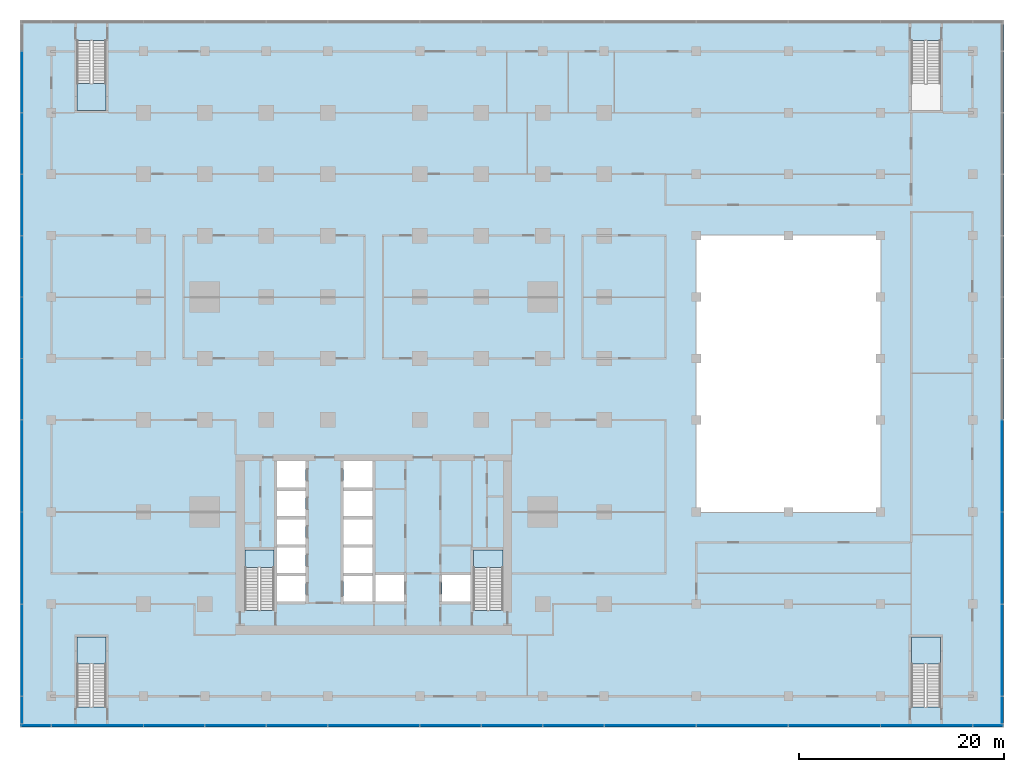
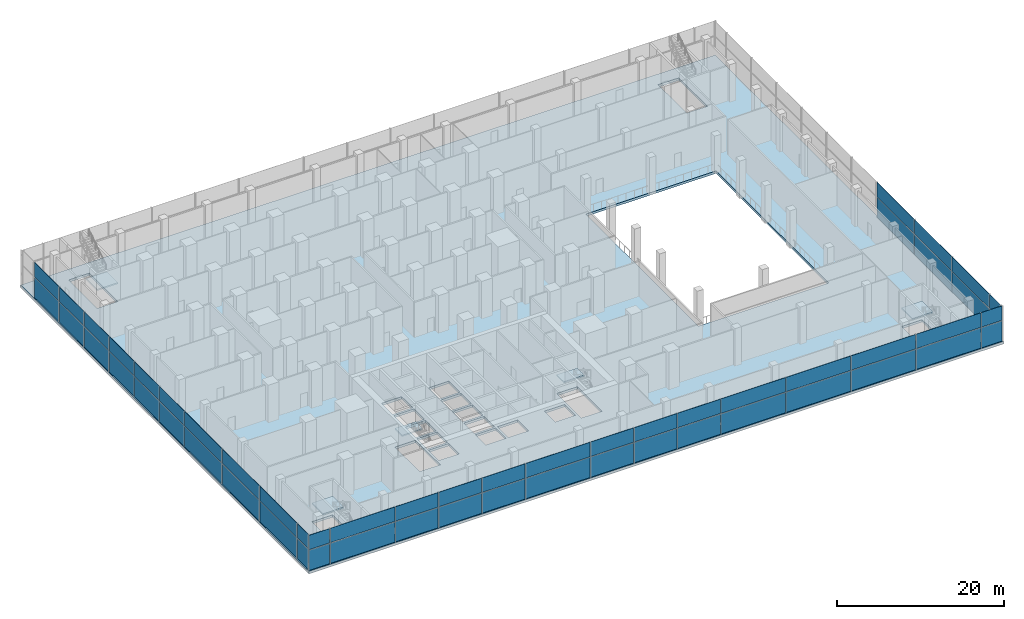
# One storey, part 10 of 22: 56 plates, 6 slabs, 8 elements without a shape of their own.
"""IFC4 building model written with IfcOpenShell, lengths in metres."""

from ifc_helpers import new_model, si_unit, direction, frame, origin, origin_2d, place, context, subcontext, project, spatial, polyline, rectangle, outline, extrude, material, layer, layer_set, type_object, element, aggregate, save


model = new_model("IFC4")

# Units and contexts
model_context = context("Model", 3, precision=1e-05, world=origin(), true_north=direction((0.0, 1.0)))
body_context = subcontext(model_context, "Body", "Model", "MODEL_VIEW")
ifc_project = project(units=[si_unit("LENGTHUNIT", "METRE"), si_unit("AREAUNIT", "SQUARE_METRE"), si_unit("VOLUMEUNIT", "CUBIC_METRE"), si_unit("PLANEANGLEUNIT", "RADIAN"), si_unit("MASSUNIT", "GRAM", prefix="KILO")], contexts=[model_context])

# Site, building, storey
site_placement = place(None, origin())
site = spatial("IfcSite", under=ifc_project, at=site_placement, CompositionType="ELEMENT")
building_placement = place(site_placement, origin())
building = spatial("IfcBuilding", under=site, at=building_placement, Name="Finial Court Residences", CompositionType="ELEMENT")
storey_placement = place(building_placement, frame((0.0, 0.0, 8.0)))
storey = spatial("IfcBuildingStorey", under=building, at=storey_placement, Name="L01", CompositionType="ELEMENT", Elevation=8.0)

# Curtain wall, plates
ifc_material_1 = material(Name="Bronze anodised aluminium", Category="aluminium")
curtain_wall_type = type_object("IfcCurtainWallType", Name="Podium curtain wall", PredefinedType="NOTDEFINED", material=ifc_material_1)
curtain_wall_1_placement = place(storey_placement, origin())
curtain_wall_1 = element("IfcCurtainWall", 1, at=curtain_wall_1_placement, inside=storey, type_object=curtain_wall_type, Name="E-L01-CW-E2", PredefinedType="NOTDEFINED")
ifc_material_2 = material(Name="Clear low-e glass", Category="glass")
ifc_layer_1 = layer(ifc_material_2, 0.035888671875)
ifc_layer_set_1 = layer_set([ifc_layer_1], Name="CW5 vision glass 36")
plate_type = type_object("IfcPlateType", Name="CW5 vision glass 36", PredefinedType="CURTAIN_PANEL", material=ifc_layer_set_1)
plate_1_placement = place(storey_placement, frame((61.35009765625, -32.8486328125, 0.0), z_axis=(0.0, 0.0, 1.0), x_axis=(0.0, 1.0, 0.0)))
plate_1 = element("IfcPlate", 2, at=plate_1_placement, type_object=plate_type, Name="CW5 glass 1.1", PredefinedType="CURTAIN_PANEL", context=body_context, shape_type="SweptSolid", body=[
    extrude(rectangle(XDim=2.617431640625, YDim=0.035888671875, at=origin_2d()), origin(), (0.0, 0.0, 1.0), 2.9599609375),
])
plate_2_placement = place(storey_placement, frame((61.35009765625, -32.8486328125, 3.0400390625), z_axis=(0.0, 0.0, 1.0), x_axis=(0.0, 1.0, 0.0)))
plate_2 = element("IfcPlate", 3, at=plate_2_placement, type_object=plate_type, Name="CW5 glass 1.2", PredefinedType="CURTAIN_PANEL", context=body_context, shape_type="SweptSolid", body=[
    extrude(rectangle(XDim=2.617431640625, YDim=0.035888671875, at=origin_2d()), origin(), (0.0, 0.0, 1.0), 2.110107421875),
])
plate_3_placement = place(storey_placement, frame((61.35009765625, -27.0, 0.0), z_axis=(0.0, 0.0, 1.0), x_axis=(0.0, 1.0, 0.0)))
plate_3 = element("IfcPlate", 4, at=plate_3_placement, type_object=plate_type, Name="CW5 glass 2.1", PredefinedType="CURTAIN_PANEL", context=body_context, shape_type="SweptSolid", body=[
    extrude(rectangle(XDim=8.919921875, YDim=0.035888671875, at=origin_2d()), origin(), (0.0, 0.0, 1.0), 2.9599609375),
])
plate_4_placement = place(storey_placement, frame((61.35009765625, -27.0, 3.0400390625), z_axis=(0.0, 0.0, 1.0), x_axis=(0.0, 1.0, 0.0)))
plate_4 = element("IfcPlate", 5, at=plate_4_placement, type_object=plate_type, Name="CW5 glass 2.2", PredefinedType="CURTAIN_PANEL", context=body_context, shape_type="SweptSolid", body=[
    extrude(rectangle(XDim=8.919921875, YDim=0.035888671875, at=origin_2d()), origin(), (0.0, 0.0, 1.0), 2.110107421875),
])
plate_5_placement = place(storey_placement, frame((61.35009765625, -18.0, 0.0), z_axis=(0.0, 0.0, 1.0), x_axis=(0.0, 1.0, 0.0)))
plate_5 = element("IfcPlate", 6, at=plate_5_placement, type_object=plate_type, Name="CW5 glass 3.1", PredefinedType="CURTAIN_PANEL", context=body_context, shape_type="SweptSolid", body=[
    extrude(rectangle(XDim=8.919921875, YDim=0.035888671875, at=origin_2d()), origin(), (0.0, 0.0, 1.0), 2.9599609375),
])
plate_6_placement = place(storey_placement, frame((61.35009765625, -18.0, 3.0400390625), z_axis=(0.0, 0.0, 1.0), x_axis=(0.0, 1.0, 0.0)))
plate_6 = element("IfcPlate", 7, at=plate_6_placement, type_object=plate_type, Name="CW5 glass 3.2", PredefinedType="CURTAIN_PANEL", context=body_context, shape_type="SweptSolid", body=[
    extrude(rectangle(XDim=8.919921875, YDim=0.035888671875, at=origin_2d()), origin(), (0.0, 0.0, 1.0), 2.110107421875),
])
plate_7_placement = place(storey_placement, frame((61.35009765625, -9.0, 0.0), z_axis=(0.0, 0.0, 1.0), x_axis=(0.0, 1.0, 0.0)))
plate_7 = element("IfcPlate", 8, at=plate_7_placement, type_object=plate_type, Name="CW5 glass 4.1", PredefinedType="CURTAIN_PANEL", context=body_context, shape_type="SweptSolid", body=[
    extrude(rectangle(XDim=8.919921875, YDim=0.035888671875, at=origin_2d()), origin(), (0.0, 0.0, 1.0), 2.9599609375),
])
plate_8_placement = place(storey_placement, frame((61.35009765625, -9.0, 3.0400390625), z_axis=(0.0, 0.0, 1.0), x_axis=(0.0, 1.0, 0.0)))
plate_8 = element("IfcPlate", 9, at=plate_8_placement, type_object=plate_type, Name="CW5 glass 4.2", PredefinedType="CURTAIN_PANEL", context=body_context, shape_type="SweptSolid", body=[
    extrude(rectangle(XDim=8.919921875, YDim=0.035888671875, at=origin_2d()), origin(), (0.0, 0.0, 1.0), 2.110107421875),
])
aggregate(curtain_wall_1, [plate_1, plate_2, plate_3, plate_4, plate_5, plate_6, plate_7, plate_8])

curtain_wall_2_placement = place(storey_placement, origin())
curtain_wall_2 = element("IfcCurtainWall", 10, at=curtain_wall_2_placement, inside=storey, type_object=curtain_wall_type, Name="E-L01-CW-S3", PredefinedType="NOTDEFINED")
plate_9_placement = place(storey_placement, frame((-32.97998046875, -34.35009765625, 0.0), z_axis=(0.0, 0.0, 1.0), x_axis=(1.0, 0.0, 0.0)))
plate_9 = element("IfcPlate", 11, at=plate_9_placement, type_object=plate_type, Name="CW5 glass 1.1", PredefinedType="CURTAIN_PANEL", context=body_context, shape_type="SweptSolid", body=[
    extrude(rectangle(XDim=2.8798828125, YDim=0.035888671875, at=origin_2d()), origin(), (0.0, 0.0, 1.0), 2.9599609375),
])
plate_10_placement = place(storey_placement, frame((-32.97998046875, -34.35009765625, 3.0400390625), z_axis=(0.0, 0.0, 1.0), x_axis=(1.0, 0.0, 0.0)))
plate_10 = element("IfcPlate", 12, at=plate_10_placement, type_object=plate_type, Name="CW5 glass 1.2", PredefinedType="CURTAIN_PANEL", context=body_context, shape_type="SweptSolid", body=[
    extrude(rectangle(XDim=2.8798828125, YDim=0.035888671875, at=origin_2d()), origin(), (0.0, 0.0, 1.0), 2.110107421875),
])
plate_11_placement = place(storey_placement, frame((-27.0, -34.35009765625, 0.0), z_axis=(0.0, 0.0, 1.0), x_axis=(1.0, 0.0, 0.0)))
plate_11 = element("IfcPlate", 13, at=plate_11_placement, type_object=plate_type, Name="CW5 glass 2.1", PredefinedType="CURTAIN_PANEL", context=body_context, shape_type="SweptSolid", body=[
    extrude(rectangle(XDim=8.919921875, YDim=0.035888671875, at=origin_2d()), origin(), (0.0, 0.0, 1.0), 2.9599609375),
])
plate_12_placement = place(storey_placement, frame((-27.0, -34.35009765625, 3.0400390625), z_axis=(0.0, 0.0, 1.0), x_axis=(1.0, 0.0, 0.0)))
plate_12 = element("IfcPlate", 14, at=plate_12_placement, type_object=plate_type, Name="CW5 glass 2.2", PredefinedType="CURTAIN_PANEL", context=body_context, shape_type="SweptSolid", body=[
    extrude(rectangle(XDim=8.919921875, YDim=0.035888671875, at=origin_2d()), origin(), (0.0, 0.0, 1.0), 2.110107421875),
])
plate_13_placement = place(storey_placement, frame((-19.5, -34.35009765625, 0.0), z_axis=(0.0, 0.0, 1.0), x_axis=(1.0, 0.0, 0.0)))
plate_13 = element("IfcPlate", 15, at=plate_13_placement, type_object=plate_type, Name="CW5 glass 3.1", PredefinedType="CURTAIN_PANEL", context=body_context, shape_type="SweptSolid", body=[
    extrude(rectangle(XDim=5.919921875, YDim=0.035888671875, at=origin_2d()), origin(), (0.0, 0.0, 1.0), 2.9599609375),
])
plate_14_placement = place(storey_placement, frame((-19.5, -34.35009765625, 3.0400390625), z_axis=(0.0, 0.0, 1.0), x_axis=(1.0, 0.0, 0.0)))
plate_14 = element("IfcPlate", 16, at=plate_14_placement, type_object=plate_type, Name="CW5 glass 3.2", PredefinedType="CURTAIN_PANEL", context=body_context, shape_type="SweptSolid", body=[
    extrude(rectangle(XDim=5.919921875, YDim=0.035888671875, at=origin_2d()), origin(), (0.0, 0.0, 1.0), 2.110107421875),
])
plate_15_placement = place(storey_placement, frame((-13.5, -34.35009765625, 0.0), z_axis=(0.0, 0.0, 1.0), x_axis=(1.0, 0.0, 0.0)))
plate_15 = element("IfcPlate", 17, at=plate_15_placement, type_object=plate_type, Name="CW5 glass 4.1", PredefinedType="CURTAIN_PANEL", context=body_context, shape_type="SweptSolid", body=[
    extrude(rectangle(XDim=5.919921875, YDim=0.035888671875, at=origin_2d()), origin(), (0.0, 0.0, 1.0), 2.9599609375),
])
plate_16_placement = place(storey_placement, frame((-13.5, -34.35009765625, 3.0400390625), z_axis=(0.0, 0.0, 1.0), x_axis=(1.0, 0.0, 0.0)))
plate_16 = element("IfcPlate", 18, at=plate_16_placement, type_object=plate_type, Name="CW5 glass 4.2", PredefinedType="CURTAIN_PANEL", context=body_context, shape_type="SweptSolid", body=[
    extrude(rectangle(XDim=5.919921875, YDim=0.035888671875, at=origin_2d()), origin(), (0.0, 0.0, 1.0), 2.110107421875),
])
plate_17_placement = place(storey_placement, frame((-7.5, -34.35009765625, 0.0), z_axis=(0.0, 0.0, 1.0), x_axis=(1.0, 0.0, 0.0)))
plate_17 = element("IfcPlate", 19, at=plate_17_placement, type_object=plate_type, Name="CW5 glass 5.1", PredefinedType="CURTAIN_PANEL", context=body_context, shape_type="SweptSolid", body=[
    extrude(rectangle(XDim=5.919921875, YDim=0.035888671875, at=origin_2d()), origin(), (0.0, 0.0, 1.0), 2.9599609375),
])
plate_18_placement = place(storey_placement, frame((-7.5, -34.35009765625, 3.0400390625), z_axis=(0.0, 0.0, 1.0), x_axis=(1.0, 0.0, 0.0)))
plate_18 = element("IfcPlate", 20, at=plate_18_placement, type_object=plate_type, Name="CW5 glass 5.2", PredefinedType="CURTAIN_PANEL", context=body_context, shape_type="SweptSolid", body=[
    extrude(rectangle(XDim=5.919921875, YDim=0.035888671875, at=origin_2d()), origin(), (0.0, 0.0, 1.0), 2.110107421875),
])
plate_19_placement = place(storey_placement, frame((0.0, -34.35009765625, 0.0), z_axis=(0.0, 0.0, 1.0), x_axis=(1.0, 0.0, 0.0)))
plate_19 = element("IfcPlate", 21, at=plate_19_placement, type_object=plate_type, Name="CW5 glass 6.1", PredefinedType="CURTAIN_PANEL", context=body_context, shape_type="SweptSolid", body=[
    extrude(rectangle(XDim=8.919921875, YDim=0.035888671875, at=origin_2d()), origin(), (0.0, 0.0, 1.0), 2.9599609375),
])
plate_20_placement = place(storey_placement, frame((0.0, -34.35009765625, 3.0400390625), z_axis=(0.0, 0.0, 1.0), x_axis=(1.0, 0.0, 0.0)))
plate_20 = element("IfcPlate", 22, at=plate_20_placement, type_object=plate_type, Name="CW5 glass 6.2", PredefinedType="CURTAIN_PANEL", context=body_context, shape_type="SweptSolid", body=[
    extrude(rectangle(XDim=8.919921875, YDim=0.035888671875, at=origin_2d()), origin(), (0.0, 0.0, 1.0), 2.110107421875),
])
plate_21_placement = place(storey_placement, frame((7.5, -34.35009765625, 0.0), z_axis=(0.0, 0.0, 1.0), x_axis=(1.0, 0.0, 0.0)))
plate_21 = element("IfcPlate", 23, at=plate_21_placement, type_object=plate_type, Name="CW5 glass 7.1", PredefinedType="CURTAIN_PANEL", context=body_context, shape_type="SweptSolid", body=[
    extrude(rectangle(XDim=5.919921875, YDim=0.035888671875, at=origin_2d()), origin(), (0.0, 0.0, 1.0), 2.9599609375),
])
plate_22_placement = place(storey_placement, frame((7.5, -34.35009765625, 3.0400390625), z_axis=(0.0, 0.0, 1.0), x_axis=(1.0, 0.0, 0.0)))
plate_22 = element("IfcPlate", 24, at=plate_22_placement, type_object=plate_type, Name="CW5 glass 7.2", PredefinedType="CURTAIN_PANEL", context=body_context, shape_type="SweptSolid", body=[
    extrude(rectangle(XDim=5.919921875, YDim=0.035888671875, at=origin_2d()), origin(), (0.0, 0.0, 1.0), 2.110107421875),
])
plate_23_placement = place(storey_placement, frame((13.5, -34.35009765625, 0.0), z_axis=(0.0, 0.0, 1.0), x_axis=(1.0, 0.0, 0.0)))
plate_23 = element("IfcPlate", 25, at=plate_23_placement, type_object=plate_type, Name="CW5 glass 8.1", PredefinedType="CURTAIN_PANEL", context=body_context, shape_type="SweptSolid", body=[
    extrude(rectangle(XDim=5.919921875, YDim=0.035888671875, at=origin_2d()), origin(), (0.0, 0.0, 1.0), 2.9599609375),
])
plate_24_placement = place(storey_placement, frame((13.5, -34.35009765625, 3.0400390625), z_axis=(0.0, 0.0, 1.0), x_axis=(1.0, 0.0, 0.0)))
plate_24 = element("IfcPlate", 26, at=plate_24_placement, type_object=plate_type, Name="CW5 glass 8.2", PredefinedType="CURTAIN_PANEL", context=body_context, shape_type="SweptSolid", body=[
    extrude(rectangle(XDim=5.919921875, YDim=0.035888671875, at=origin_2d()), origin(), (0.0, 0.0, 1.0), 2.110107421875),
])
plate_25_placement = place(storey_placement, frame((19.5, -34.35009765625, 0.0), z_axis=(0.0, 0.0, 1.0), x_axis=(1.0, 0.0, 0.0)))
plate_25 = element("IfcPlate", 27, at=plate_25_placement, type_object=plate_type, Name="CW5 glass 9.1", PredefinedType="CURTAIN_PANEL", context=body_context, shape_type="SweptSolid", body=[
    extrude(rectangle(XDim=5.919921875, YDim=0.035888671875, at=origin_2d()), origin(), (0.0, 0.0, 1.0), 2.9599609375),
])
plate_26_placement = place(storey_placement, frame((19.5, -34.35009765625, 3.0400390625), z_axis=(0.0, 0.0, 1.0), x_axis=(1.0, 0.0, 0.0)))
plate_26 = element("IfcPlate", 28, at=plate_26_placement, type_object=plate_type, Name="CW5 glass 9.2", PredefinedType="CURTAIN_PANEL", context=body_context, shape_type="SweptSolid", body=[
    extrude(rectangle(XDim=5.919921875, YDim=0.035888671875, at=origin_2d()), origin(), (0.0, 0.0, 1.0), 2.110107421875),
])
plate_27_placement = place(storey_placement, frame((27.0, -34.35009765625, 0.0), z_axis=(0.0, 0.0, 1.0), x_axis=(1.0, 0.0, 0.0)))
plate_27 = element("IfcPlate", 29, at=plate_27_placement, type_object=plate_type, Name="CW5 glass 10.1", PredefinedType="CURTAIN_PANEL", context=body_context, shape_type="SweptSolid", body=[
    extrude(rectangle(XDim=8.919921875, YDim=0.035888671875, at=origin_2d()), origin(), (0.0, 0.0, 1.0), 2.9599609375),
])
plate_28_placement = place(storey_placement, frame((27.0, -34.35009765625, 3.0400390625), z_axis=(0.0, 0.0, 1.0), x_axis=(1.0, 0.0, 0.0)))
plate_28 = element("IfcPlate", 30, at=plate_28_placement, type_object=plate_type, Name="CW5 glass 10.2", PredefinedType="CURTAIN_PANEL", context=body_context, shape_type="SweptSolid", body=[
    extrude(rectangle(XDim=8.919921875, YDim=0.035888671875, at=origin_2d()), origin(), (0.0, 0.0, 1.0), 2.110107421875),
])
plate_29_placement = place(storey_placement, frame((36.0, -34.35009765625, 0.0), z_axis=(0.0, 0.0, 1.0), x_axis=(1.0, 0.0, 0.0)))
plate_29 = element("IfcPlate", 31, at=plate_29_placement, type_object=plate_type, Name="CW5 glass 11.1", PredefinedType="CURTAIN_PANEL", context=body_context, shape_type="SweptSolid", body=[
    extrude(rectangle(XDim=8.919921875, YDim=0.035888671875, at=origin_2d()), origin(), (0.0, 0.0, 1.0), 2.9599609375),
])
plate_30_placement = place(storey_placement, frame((36.0, -34.35009765625, 3.0400390625), z_axis=(0.0, 0.0, 1.0), x_axis=(1.0, 0.0, 0.0)))
plate_30 = element("IfcPlate", 32, at=plate_30_placement, type_object=plate_type, Name="CW5 glass 11.2", PredefinedType="CURTAIN_PANEL", context=body_context, shape_type="SweptSolid", body=[
    extrude(rectangle(XDim=8.919921875, YDim=0.035888671875, at=origin_2d()), origin(), (0.0, 0.0, 1.0), 2.110107421875),
])
plate_31_placement = place(storey_placement, frame((45.0, -34.35009765625, 0.0), z_axis=(0.0, 0.0, 1.0), x_axis=(1.0, 0.0, 0.0)))
plate_31 = element("IfcPlate", 33, at=plate_31_placement, type_object=plate_type, Name="CW5 glass 12.1", PredefinedType="CURTAIN_PANEL", context=body_context, shape_type="SweptSolid", body=[
    extrude(rectangle(XDim=8.919921875, YDim=0.035888671875, at=origin_2d()), origin(), (0.0, 0.0, 1.0), 2.9599609375),
])
plate_32_placement = place(storey_placement, frame((45.0, -34.35009765625, 3.0400390625), z_axis=(0.0, 0.0, 1.0), x_axis=(1.0, 0.0, 0.0)))
plate_32 = element("IfcPlate", 34, at=plate_32_placement, type_object=plate_type, Name="CW5 glass 12.2", PredefinedType="CURTAIN_PANEL", context=body_context, shape_type="SweptSolid", body=[
    extrude(rectangle(XDim=8.919921875, YDim=0.035888671875, at=origin_2d()), origin(), (0.0, 0.0, 1.0), 2.110107421875),
])
plate_33_placement = place(storey_placement, frame((54.0, -34.35009765625, 0.0), z_axis=(0.0, 0.0, 1.0), x_axis=(1.0, 0.0, 0.0)))
plate_33 = element("IfcPlate", 35, at=plate_33_placement, type_object=plate_type, Name="CW5 glass 13.1", PredefinedType="CURTAIN_PANEL", context=body_context, shape_type="SweptSolid", body=[
    extrude(rectangle(XDim=8.919921875, YDim=0.035888671875, at=origin_2d()), origin(), (0.0, 0.0, 1.0), 2.9599609375),
])
plate_34_placement = place(storey_placement, frame((54.0, -34.35009765625, 3.0400390625), z_axis=(0.0, 0.0, 1.0), x_axis=(1.0, 0.0, 0.0)))
plate_34 = element("IfcPlate", 36, at=plate_34_placement, type_object=plate_type, Name="CW5 glass 13.2", PredefinedType="CURTAIN_PANEL", context=body_context, shape_type="SweptSolid", body=[
    extrude(rectangle(XDim=8.919921875, YDim=0.035888671875, at=origin_2d()), origin(), (0.0, 0.0, 1.0), 2.110107421875),
])
plate_35_placement = place(storey_placement, frame((59.97998046875, -34.35009765625, 0.0), z_axis=(0.0, 0.0, 1.0), x_axis=(1.0, 0.0, 0.0)))
plate_35 = element("IfcPlate", 37, at=plate_35_placement, type_object=plate_type, Name="CW5 glass 14.1", PredefinedType="CURTAIN_PANEL", context=body_context, shape_type="SweptSolid", body=[
    extrude(rectangle(XDim=2.8798828125, YDim=0.035888671875, at=origin_2d()), origin(), (0.0, 0.0, 1.0), 2.9599609375),
])
plate_36_placement = place(storey_placement, frame((59.97998046875, -34.35009765625, 3.0400390625), z_axis=(0.0, 0.0, 1.0), x_axis=(1.0, 0.0, 0.0)))
plate_36 = element("IfcPlate", 38, at=plate_36_placement, type_object=plate_type, Name="CW5 glass 14.2", PredefinedType="CURTAIN_PANEL", context=body_context, shape_type="SweptSolid", body=[
    extrude(rectangle(XDim=2.8798828125, YDim=0.035888671875, at=origin_2d()), origin(), (0.0, 0.0, 1.0), 2.110107421875),
])
aggregate(curtain_wall_2, [plate_9, plate_10, plate_11, plate_12, plate_13, plate_14, plate_15, plate_16, plate_17, plate_18, plate_19, plate_20, plate_21, plate_22, plate_23, plate_24, plate_25, plate_26, plate_27, plate_28, plate_29, plate_30, plate_31, plate_32, plate_33, plate_34, plate_35, plate_36])

curtain_wall_3_placement = place(storey_placement, origin())
curtain_wall_3 = element("IfcCurtainWall", 39, at=curtain_wall_3_placement, inside=storey, type_object=curtain_wall_type, Name="E-L01-CW-W4", PredefinedType="NOTDEFINED")
plate_37_placement = place(storey_placement, frame((-34.35009765625, -32.8486328125, 0.0), z_axis=(0.0, 0.0, 1.0), x_axis=(0.0, 1.0, 0.0)))
plate_37 = element("IfcPlate", 40, at=plate_37_placement, type_object=plate_type, Name="CW5 glass 1.1", PredefinedType="CURTAIN_PANEL", context=body_context, shape_type="SweptSolid", body=[
    extrude(rectangle(XDim=2.617431640625, YDim=0.035888671875, at=origin_2d()), origin(), (0.0, 0.0, 1.0), 2.9599609375),
])
plate_38_placement = place(storey_placement, frame((-34.35009765625, -32.8486328125, 3.0400390625), z_axis=(0.0, 0.0, 1.0), x_axis=(0.0, 1.0, 0.0)))
plate_38 = element("IfcPlate", 41, at=plate_38_placement, type_object=plate_type, Name="CW5 glass 1.2", PredefinedType="CURTAIN_PANEL", context=body_context, shape_type="SweptSolid", body=[
    extrude(rectangle(XDim=2.617431640625, YDim=0.035888671875, at=origin_2d()), origin(), (0.0, 0.0, 1.0), 2.110107421875),
])
plate_39_placement = place(storey_placement, frame((-34.35009765625, -27.0, 0.0), z_axis=(0.0, 0.0, 1.0), x_axis=(0.0, 1.0, 0.0)))
plate_39 = element("IfcPlate", 42, at=plate_39_placement, type_object=plate_type, Name="CW5 glass 2.1", PredefinedType="CURTAIN_PANEL", context=body_context, shape_type="SweptSolid", body=[
    extrude(rectangle(XDim=8.919921875, YDim=0.035888671875, at=origin_2d()), origin(), (0.0, 0.0, 1.0), 2.9599609375),
])
plate_40_placement = place(storey_placement, frame((-34.35009765625, -27.0, 3.0400390625), z_axis=(0.0, 0.0, 1.0), x_axis=(0.0, 1.0, 0.0)))
plate_40 = element("IfcPlate", 43, at=plate_40_placement, type_object=plate_type, Name="CW5 glass 2.2", PredefinedType="CURTAIN_PANEL", context=body_context, shape_type="SweptSolid", body=[
    extrude(rectangle(XDim=8.919921875, YDim=0.035888671875, at=origin_2d()), origin(), (0.0, 0.0, 1.0), 2.110107421875),
])
plate_41_placement = place(storey_placement, frame((-34.35009765625, -18.0, 0.0), z_axis=(0.0, 0.0, 1.0), x_axis=(0.0, 1.0, 0.0)))
plate_41 = element("IfcPlate", 44, at=plate_41_placement, type_object=plate_type, Name="CW5 glass 3.1", PredefinedType="CURTAIN_PANEL", context=body_context, shape_type="SweptSolid", body=[
    extrude(rectangle(XDim=8.919921875, YDim=0.035888671875, at=origin_2d()), origin(), (0.0, 0.0, 1.0), 2.9599609375),
])
plate_42_placement = place(storey_placement, frame((-34.35009765625, -18.0, 3.0400390625), z_axis=(0.0, 0.0, 1.0), x_axis=(0.0, 1.0, 0.0)))
plate_42 = element("IfcPlate", 45, at=plate_42_placement, type_object=plate_type, Name="CW5 glass 3.2", PredefinedType="CURTAIN_PANEL", context=body_context, shape_type="SweptSolid", body=[
    extrude(rectangle(XDim=8.919921875, YDim=0.035888671875, at=origin_2d()), origin(), (0.0, 0.0, 1.0), 2.110107421875),
])
plate_43_placement = place(storey_placement, frame((-34.35009765625, -9.0, 0.0), z_axis=(0.0, 0.0, 1.0), x_axis=(0.0, 1.0, 0.0)))
plate_43 = element("IfcPlate", 46, at=plate_43_placement, type_object=plate_type, Name="CW5 glass 4.1", PredefinedType="CURTAIN_PANEL", context=body_context, shape_type="SweptSolid", body=[
    extrude(rectangle(XDim=8.919921875, YDim=0.035888671875, at=origin_2d()), origin(), (0.0, 0.0, 1.0), 2.9599609375),
])
plate_44_placement = place(storey_placement, frame((-34.35009765625, -9.0, 3.0400390625), z_axis=(0.0, 0.0, 1.0), x_axis=(0.0, 1.0, 0.0)))
plate_44 = element("IfcPlate", 47, at=plate_44_placement, type_object=plate_type, Name="CW5 glass 4.2", PredefinedType="CURTAIN_PANEL", context=body_context, shape_type="SweptSolid", body=[
    extrude(rectangle(XDim=8.919921875, YDim=0.035888671875, at=origin_2d()), origin(), (0.0, 0.0, 1.0), 2.110107421875),
])
plate_45_placement = place(storey_placement, frame((-34.35009765625, -1.5, 0.0), z_axis=(0.0, 0.0, 1.0), x_axis=(0.0, 1.0, 0.0)))
plate_45 = element("IfcPlate", 48, at=plate_45_placement, type_object=plate_type, Name="CW5 glass 5.1", PredefinedType="CURTAIN_PANEL", context=body_context, shape_type="SweptSolid", body=[
    extrude(rectangle(XDim=5.919921875, YDim=0.035888671875, at=origin_2d()), origin(), (0.0, 0.0, 1.0), 2.9599609375),
])
plate_46_placement = place(storey_placement, frame((-34.35009765625, -1.5, 3.0400390625), z_axis=(0.0, 0.0, 1.0), x_axis=(0.0, 1.0, 0.0)))
plate_46 = element("IfcPlate", 49, at=plate_46_placement, type_object=plate_type, Name="CW5 glass 5.2", PredefinedType="CURTAIN_PANEL", context=body_context, shape_type="SweptSolid", body=[
    extrude(rectangle(XDim=5.919921875, YDim=0.035888671875, at=origin_2d()), origin(), (0.0, 0.0, 1.0), 2.110107421875),
])
plate_47_placement = place(storey_placement, frame((-34.35009765625, 4.5, 0.0), z_axis=(0.0, 0.0, 1.0), x_axis=(0.0, 1.0, 0.0)))
plate_47 = element("IfcPlate", 50, at=plate_47_placement, type_object=plate_type, Name="CW5 glass 6.1", PredefinedType="CURTAIN_PANEL", context=body_context, shape_type="SweptSolid", body=[
    extrude(rectangle(XDim=5.919921875, YDim=0.035888671875, at=origin_2d()), origin(), (0.0, 0.0, 1.0), 2.9599609375),
])
plate_48_placement = place(storey_placement, frame((-34.35009765625, 4.5, 3.0400390625), z_axis=(0.0, 0.0, 1.0), x_axis=(0.0, 1.0, 0.0)))
plate_48 = element("IfcPlate", 51, at=plate_48_placement, type_object=plate_type, Name="CW5 glass 6.2", PredefinedType="CURTAIN_PANEL", context=body_context, shape_type="SweptSolid", body=[
    extrude(rectangle(XDim=5.919921875, YDim=0.035888671875, at=origin_2d()), origin(), (0.0, 0.0, 1.0), 2.110107421875),
])
plate_49_placement = place(storey_placement, frame((-34.35009765625, 10.5, 0.0), z_axis=(0.0, 0.0, 1.0), x_axis=(0.0, 1.0, 0.0)))
plate_49 = element("IfcPlate", 52, at=plate_49_placement, type_object=plate_type, Name="CW5 glass 7.1", PredefinedType="CURTAIN_PANEL", context=body_context, shape_type="SweptSolid", body=[
    extrude(rectangle(XDim=5.919921875, YDim=0.035888671875, at=origin_2d()), origin(), (0.0, 0.0, 1.0), 2.9599609375),
])
plate_50_placement = place(storey_placement, frame((-34.35009765625, 10.5, 3.0400390625), z_axis=(0.0, 0.0, 1.0), x_axis=(0.0, 1.0, 0.0)))
plate_50 = element("IfcPlate", 53, at=plate_50_placement, type_object=plate_type, Name="CW5 glass 7.2", PredefinedType="CURTAIN_PANEL", context=body_context, shape_type="SweptSolid", body=[
    extrude(rectangle(XDim=5.919921875, YDim=0.035888671875, at=origin_2d()), origin(), (0.0, 0.0, 1.0), 2.110107421875),
])
plate_51_placement = place(storey_placement, frame((-34.35009765625, 16.5, 0.0), z_axis=(0.0, 0.0, 1.0), x_axis=(0.0, 1.0, 0.0)))
plate_51 = element("IfcPlate", 54, at=plate_51_placement, type_object=plate_type, Name="CW5 glass 8.1", PredefinedType="CURTAIN_PANEL", context=body_context, shape_type="SweptSolid", body=[
    extrude(rectangle(XDim=5.919921875, YDim=0.035888671875, at=origin_2d()), origin(), (0.0, 0.0, 1.0), 2.9599609375),
])
plate_52_placement = place(storey_placement, frame((-34.35009765625, 16.5, 3.0400390625), z_axis=(0.0, 0.0, 1.0), x_axis=(0.0, 1.0, 0.0)))
plate_52 = element("IfcPlate", 55, at=plate_52_placement, type_object=plate_type, Name="CW5 glass 8.2", PredefinedType="CURTAIN_PANEL", context=body_context, shape_type="SweptSolid", body=[
    extrude(rectangle(XDim=5.919921875, YDim=0.035888671875, at=origin_2d()), origin(), (0.0, 0.0, 1.0), 2.110107421875),
])
plate_53_placement = place(storey_placement, frame((-34.35009765625, 22.5, 0.0), z_axis=(0.0, 0.0, 1.0), x_axis=(0.0, 1.0, 0.0)))
plate_53 = element("IfcPlate", 56, at=plate_53_placement, type_object=plate_type, Name="CW5 glass 9.1", PredefinedType="CURTAIN_PANEL", context=body_context, shape_type="SweptSolid", body=[
    extrude(rectangle(XDim=5.919921875, YDim=0.035888671875, at=origin_2d()), origin(), (0.0, 0.0, 1.0), 2.9599609375),
])
plate_54_placement = place(storey_placement, frame((-34.35009765625, 22.5, 3.0400390625), z_axis=(0.0, 0.0, 1.0), x_axis=(0.0, 1.0, 0.0)))
plate_54 = element("IfcPlate", 57, at=plate_54_placement, type_object=plate_type, Name="CW5 glass 9.2", PredefinedType="CURTAIN_PANEL", context=body_context, shape_type="SweptSolid", body=[
    extrude(rectangle(XDim=5.919921875, YDim=0.035888671875, at=origin_2d()), origin(), (0.0, 0.0, 1.0), 2.110107421875),
])
plate_55_placement = place(storey_placement, frame((-34.35009765625, 28.5, 0.0), z_axis=(0.0, 0.0, 1.0), x_axis=(0.0, 1.0, 0.0)))
plate_55 = element("IfcPlate", 58, at=plate_55_placement, type_object=plate_type, Name="CW5 glass 10.1", PredefinedType="CURTAIN_PANEL", context=body_context, shape_type="SweptSolid", body=[
    extrude(rectangle(XDim=5.919921875, YDim=0.035888671875, at=origin_2d()), origin(), (0.0, 0.0, 1.0), 2.9599609375),
])
plate_56_placement = place(storey_placement, frame((-34.35009765625, 28.5, 3.0400390625), z_axis=(0.0, 0.0, 1.0), x_axis=(0.0, 1.0, 0.0)))
plate_56 = element("IfcPlate", 59, at=plate_56_placement, type_object=plate_type, Name="CW5 glass 10.2", PredefinedType="CURTAIN_PANEL", context=body_context, shape_type="SweptSolid", body=[
    extrude(rectangle(XDim=5.919921875, YDim=0.035888671875, at=origin_2d()), origin(), (0.0, 0.0, 1.0), 2.110107421875),
])
aggregate(curtain_wall_3, [plate_37, plate_38, plate_39, plate_40, plate_41, plate_42, plate_43, plate_44, plate_45, plate_46, plate_47, plate_48, plate_49, plate_50, plate_51, plate_52, plate_53, plate_54, plate_55, plate_56])

# Stair, slab
ifc_material_3 = material(Name="Concrete C50/60", Category="concrete")
stair_type = type_object("IfcStairType", Name="Exit stair 32 risers of 171.9 mm", PredefinedType="HALF_TURN_STAIR", material=ifc_material_3)
stair_1_placement = place(storey_placement, origin())
stair_1 = element("IfcStair", 60, at=stair_1_placement, inside=storey, type_object=stair_type, Name="L01 Exit stair ST-1", PredefinedType="HALF_TURN_STAIR")
ifc_layer_2 = layer(ifc_material_3, 0.199951171875)
ifc_layer_set_2 = layer_set([ifc_layer_2], Name="Exit stair landing")
slab_type_1 = type_object("IfcSlabType", Name="Exit stair landing", PredefinedType="LANDING", material=ifc_layer_set_2)
slab_1_placement = place(storey_placement, frame((0.0, 0.0, 2.550048828125)))
slab_1 = element("IfcSlab", 61, at=slab_1_placement, type_object=slab_type_1, Name="ST-1 landing 1", PredefinedType="LANDING", context=body_context, shape_type="SweptSolid", body=[
    extrude(outline(polyline([(-9.75, -18.89990234375), (-9.75, -17.199951171875), (-12.60009765625, -17.199951171875), (-12.60009765625, -18.89990234375), (-9.75, -18.89990234375)])), origin(), (0.0, 0.0, 1.0), 0.199951171875),
])
aggregate(stair_1, [slab_1])

stair_2_placement = place(storey_placement, origin())
stair_2 = element("IfcStair", 62, at=stair_2_placement, inside=storey, type_object=stair_type, Name="L01 Exit stair ST-2", PredefinedType="HALF_TURN_STAIR")
slab_2_placement = place(storey_placement, frame((0.0, 0.0, 2.550048828125)))
slab_2 = element("IfcSlab", 63, at=slab_2_placement, type_object=slab_type_1, Name="ST-2 landing 1", PredefinedType="LANDING", context=body_context, shape_type="SweptSolid", body=[
    extrude(outline(polyline([(12.60009765625, -18.89990234375), (12.60009765625, -17.199951171875), (9.75, -17.199951171875), (9.75, -18.89990234375), (12.60009765625, -18.89990234375)])), origin(), (0.0, 0.0, 1.0), 0.199951171875),
])
aggregate(stair_2, [slab_2])

stair_3_placement = place(storey_placement, origin())
stair_3 = element("IfcStair", 64, at=stair_3_placement, inside=storey, type_object=stair_type, Name="L01 Exit Stair 3", PredefinedType="HALF_TURN_STAIR")
slab_3_placement = place(storey_placement, frame((0.0, 0.0, 2.550048828125)))
slab_3 = element("IfcSlab", 65, at=slab_3_placement, type_object=slab_type_1, Name="ST-3 landing 1", PredefinedType="LANDING", context=body_context, shape_type="SweptSolid", body=[
    extrude(outline(polyline([(55.35009765625, -28.35009765625), (55.35009765625, -25.719970703125), (52.5, -25.719970703125), (52.5, -28.35009765625), (55.35009765625, -28.35009765625)])), origin(), (0.0, 0.0, 1.0), 0.199951171875),
])
aggregate(stair_3, [slab_3])

stair_4_placement = place(storey_placement, origin())
stair_4 = element("IfcStair", 66, at=stair_4_placement, inside=storey, type_object=stair_type, Name="L01 Exit Stair 4", PredefinedType="HALF_TURN_STAIR")
slab_4_placement = place(storey_placement, frame((0.0, 0.0, 2.550048828125)))
slab_4 = element("IfcSlab", 67, at=slab_4_placement, type_object=slab_type_1, Name="ST-4 landing 1", PredefinedType="LANDING", context=body_context, shape_type="SweptSolid", body=[
    extrude(outline(polyline([(-26.14990234375, -28.35009765625), (-26.14990234375, -25.719970703125), (-29.0, -25.719970703125), (-29.0, -28.35009765625), (-26.14990234375, -28.35009765625)])), origin(), (0.0, 0.0, 1.0), 0.199951171875),
])
aggregate(stair_4, [slab_4])

stair_5_placement = place(storey_placement, origin())
stair_5 = element("IfcStair", 68, at=stair_5_placement, inside=storey, type_object=stair_type, Name="L01 Exit Stair 6", PredefinedType="HALF_TURN_STAIR")
slab_5_placement = place(storey_placement, frame((0.0, 0.0, 2.550048828125)))
slab_5 = element("IfcSlab", 69, at=slab_5_placement, type_object=slab_type_1, Name="ST-6 landing 1", PredefinedType="LANDING", context=body_context, shape_type="SweptSolid", body=[
    extrude(outline(polyline([(-29.0, 28.35009765625), (-29.0, 25.719970703125), (-26.14990234375, 25.719970703125), (-26.14990234375, 28.35009765625), (-29.0, 28.35009765625)])), origin(), (0.0, 0.0, 1.0), 0.199951171875),
])
aggregate(stair_5, [slab_5])

# Slab
ifc_material_4 = material(Name="Concrete C40/50", Category="concrete")
ifc_layer_3 = layer(ifc_material_4, 0.35009765625)
ifc_layer_set_3 = layer_set([ifc_layer_3], Name="Flat plate slab 350 Concrete C40/50")
slab_type_2 = type_object("IfcSlabType", Name="Flat plate slab 350 Concrete C40/50", PredefinedType="FLOOR", material=ifc_layer_set_3)
slab_6_placement = place(storey_placement, frame((0.0, 0.0, -0.35009765625)))
element("IfcSlab", 70, at=slab_6_placement, inside=storey, type_object=slab_type_2, Name="S:SLAB:L01", PredefinedType="FLOOR", context=body_context, shape_type="SweptSolid", body=[
    extrude(outline(polyline([(-34.5, 34.5), (61.5, 34.5), (61.5, -34.5), (-34.5, -34.5), (-34.5, 34.5)]), holes=[polyline([(31.5, 13.5), (31.5, -13.5), (49.5, -13.5), (49.5, 13.5), (31.5, 13.5)]), polyline([(-26.14990234375, -25.719970703125), (-29.0, -25.719970703125), (-29.0, -32.549072265625), (-26.14990234375, -32.549072265625), (-26.14990234375, -25.719970703125)]), polyline([(-6.64990234375, -22.25), (-6.64990234375, -19.77001953125), (-9.449951171875, -19.77001953125), (-9.449951171875, -22.25), (-6.64990234375, -22.25)]), polyline([(-9.75, -17.199951171875), (-12.60009765625, -17.199951171875), (-12.60009765625, -23.09912109375), (-9.75, -23.09912109375), (-9.75, -17.199951171875)]), polyline([(-6.64990234375, -19.469970703125), (-6.64990234375, -16.989990234375), (-9.449951171875, -16.989990234375), (-9.449951171875, -19.469970703125), (-6.64990234375, -19.469970703125)]), polyline([(-6.64990234375, -16.68994140625), (-6.64990234375, -14.2099609375), (-9.449951171875, -14.2099609375), (-9.449951171875, -16.68994140625), (-6.64990234375, -16.68994140625)]), polyline([(-0.14990234375, -16.68994140625), (-0.14990234375, -14.2099609375), (-2.949951171875, -14.2099609375), (-2.949951171875, -16.68994140625), (-0.14990234375, -16.68994140625)]), polyline([(-6.64990234375, -13.909912109375), (-6.64990234375, -11.429931640625), (-9.449951171875, -11.429931640625), (-9.449951171875, -13.909912109375), (-6.64990234375, -13.909912109375)]), polyline([(-9.449951171875, -11.1298828125), (-6.64990234375, -11.1298828125), (-6.64990234375, -8.5), (-9.449951171875, -8.5), (-9.449951171875, -11.1298828125)]), polyline([(-26.14990234375, 25.719970703125), (-26.14990234375, 32.549072265625), (-29.0, 32.549072265625), (-29.0, 25.719970703125), (-26.14990234375, 25.719970703125)]), polyline([(55.35009765625, -25.719970703125), (52.5, -25.719970703125), (52.5, -32.549072265625), (55.35009765625, -32.549072265625), (55.35009765625, -25.719970703125)]), polyline([(-0.14990234375, -22.25), (-0.14990234375, -19.77001953125), (-2.949951171875, -19.77001953125), (-2.949951171875, -22.25), (-0.14990234375, -22.25)]), polyline([(2.949951171875, -22.25), (2.949951171875, -19.64990234375), (0.14990234375, -19.64990234375), (0.14990234375, -22.25), (2.949951171875, -22.25)]), polyline([(9.449951171875, -22.25), (9.449951171875, -19.64990234375), (6.64990234375, -19.64990234375), (6.64990234375, -22.25), (9.449951171875, -22.25)]), polyline([(12.60009765625, -17.199951171875), (9.75, -17.199951171875), (9.75, -23.09912109375), (12.60009765625, -23.09912109375), (12.60009765625, -17.199951171875)]), polyline([(-0.14990234375, -19.469970703125), (-0.14990234375, -16.989990234375), (-2.949951171875, -16.989990234375), (-2.949951171875, -19.469970703125), (-0.14990234375, -19.469970703125)]), polyline([(-0.14990234375, -13.909912109375), (-0.14990234375, -11.429931640625), (-2.949951171875, -11.429931640625), (-2.949951171875, -13.909912109375), (-0.14990234375, -13.909912109375)]), polyline([(-2.949951171875, -11.1298828125), (-0.14990234375, -11.1298828125), (-0.14990234375, -8.5), (-2.949951171875, -8.5), (-2.949951171875, -11.1298828125)]), polyline([(55.35009765625, 25.719970703125), (55.35009765625, 32.549072265625), (52.5, 32.549072265625), (52.5, 25.719970703125), (55.35009765625, 25.719970703125)])]), origin(), (0.0, 0.0, 1.0), 0.35009765625),
])

save(model, "model.ifc")
